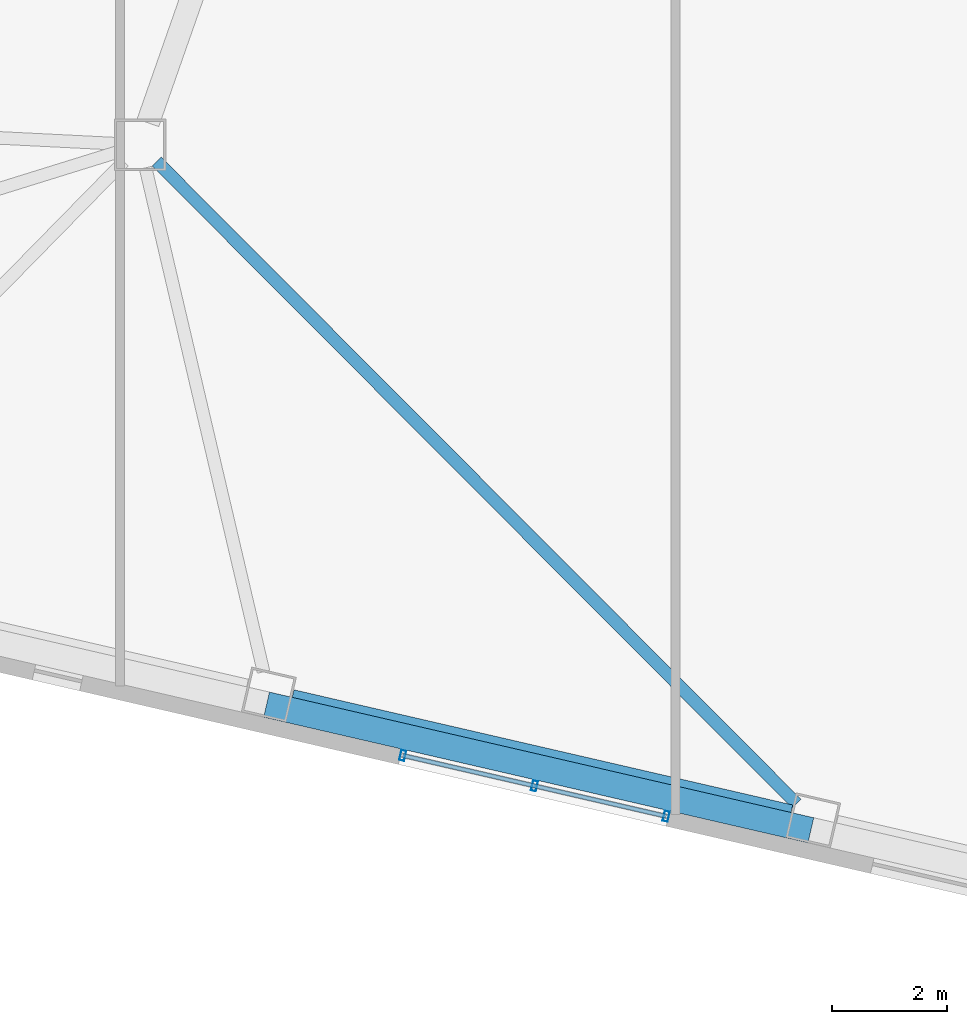
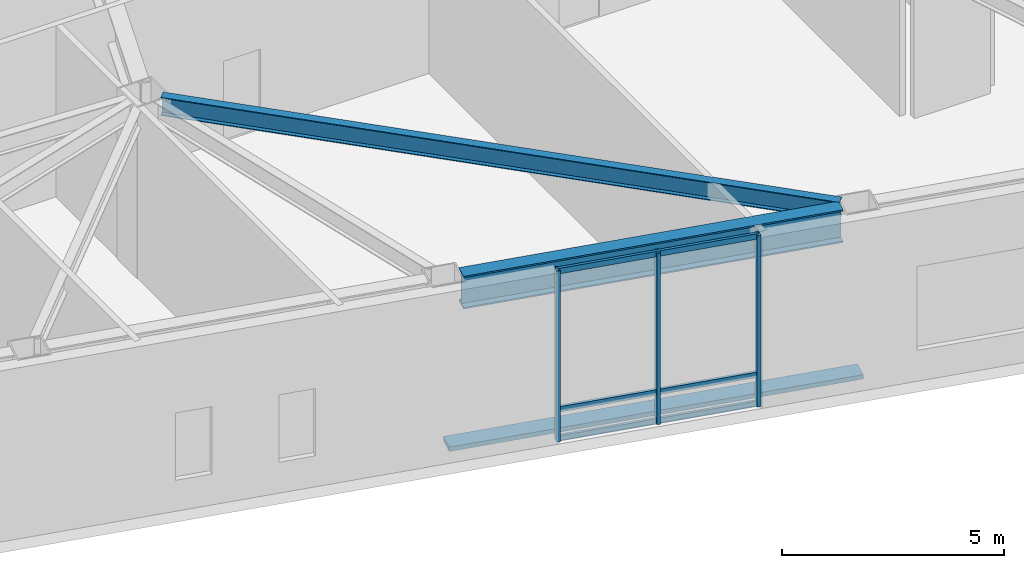
# One storey, part 2 of 21: 7 members, 2 beams, 1 element without a shape of its own.
"""IFC4 building model written with IfcOpenShell, lengths in metres."""

from ifc_helpers import new_model, si_unit, direction, frame, origin, origin_2d, place, context, subcontext, project, spatial, rectangle, hollow_rectangle, i_section, extrude, material, layer, layer_set, material_profile, profile_set, type_object, element, aggregate, save


model = new_model("IFC4")

# Units and contexts
model_context = context("Model", 3, precision=1e-05, world=origin(), true_north=direction((0.0, 1.0)))
body_context = subcontext(model_context, "Body", "Model", "MODEL_VIEW")
ifc_project = project(units=[si_unit("LENGTHUNIT", "METRE"), si_unit("AREAUNIT", "SQUARE_METRE"), si_unit("VOLUMEUNIT", "CUBIC_METRE"), si_unit("PLANEANGLEUNIT", "RADIAN"), si_unit("MASSUNIT", "GRAM", prefix="KILO")], contexts=[model_context])

# Site, building, storey
site_placement = place(None, origin())
site = spatial("IfcSite", under=ifc_project, at=site_placement, CompositionType="ELEMENT")
building_placement = place(site_placement, origin())
building = spatial("IfcBuilding", under=site, at=building_placement, Name="Tavrogorsk Clinical Tower", CompositionType="ELEMENT")
storey_placement = place(building_placement, frame((0.0, 0.0, 8.39990234375)))
storey = spatial("IfcBuildingStorey", under=building, at=storey_placement, Name="L01", CompositionType="ELEMENT", Elevation=8.39990234375)

# Member
ifc_material_1 = material(Name="Anodised aluminium alloy AW-6063", Category="aluminium")
ifc_material_profile_1 = material_profile(ifc_material_1, rectangle(XDim=0.449951171875, YDim=0.1201171875, at=origin_2d()), Name="ALU-SUNSHADE-450x120")
ifc_profile_set_1 = profile_set([ifc_material_profile_1], Name="Anodised aluminium alloy AW-6063")
member_type_1 = type_object("IfcMemberType", Name="ChicagoSunshade_450x120", PredefinedType="USERDEFINED", material=ifc_profile_set_1)
member_1_placement = place(storey_placement, frame((-22.29443359375, -22.96728515625, 0.18017578125), z_axis=(0.97437219846, -0.224941812182, 0.0), x_axis=(0.224941812182, 0.97437219846, 0.0)))
element("IfcMember", 1, at=member_1_placement, inside=storey, type_object=member_type_1, Name="L01 South Aluminium Sunshade S3", ObjectType="SUNSHADE", PredefinedType="USERDEFINED", context=body_context, shape_type="SweptSolid", body=[
    extrude(rectangle(XDim=0.449951171875, YDim=0.1201171875, at=origin_2d()), origin(), (0.0, 0.0, 1.0), 9.74853515625),
])

# Curtain wall, members
ifc_material_2 = material(Name="Anodised aluminium and triple IGU glazing", Category="aluminium")
ifc_layer = layer(ifc_material_2, 0.179931640625)
ifc_layer_set = layer_set([ifc_layer], Name="Anodised aluminium and triple IGU glazing")
curtain_wall_type = type_object("IfcCurtainWallType", Name="CW3_SouthSlot", PredefinedType="NOTDEFINED", material=ifc_layer_set)
curtain_wall_placement = place(storey_placement, origin())
curtain_wall = element("IfcCurtainWall", 2, at=curtain_wall_placement, inside=storey, type_object=curtain_wall_type, Name="L01 Curtain Wall CW-L01-S-SLOT-1", PredefinedType="NOTDEFINED")
ifc_material_3 = material(Name="Anodised aluminium alloy AW-6060", Category="aluminium")
ifc_material_profile_2 = material_profile(ifc_material_3, hollow_rectangle(XDim=0.090087890625, YDim=0.179931640625, WallThickness=0.00634765625, at=origin_2d()), Name="RHS-180x90x6.3")
ifc_profile_set_2 = profile_set([ifc_material_profile_2], Name="Anodised aluminium alloy AW-6060")
member_type_2 = type_object("IfcMemberType", Name="CwMullion_180x90", PredefinedType="MULLION", material=ifc_profile_set_2)
member_2_placement = place(storey_placement, frame((-19.917724609375, -23.8544921875, 0.0), z_axis=(0.0, 0.0, 1.0), x_axis=(0.974370046851, -0.224951132027, 0.0)))
member_2 = element("IfcMember", 3, at=member_2_placement, type_object=member_type_2, Name="CW-L01-S-SLOT-1 Mullion 1", PredefinedType="MULLION", context=body_context, shape_type="SweptSolid", body=[
    extrude(hollow_rectangle(XDim=0.090087890625, YDim=0.179931640625, WallThickness=0.00634765625, at=origin_2d()), origin(), (0.0, 0.0, 1.0), 4.7001953125),
])
member_3_placement = place(storey_placement, frame((-17.619384765625, -24.38525390625, 0.0), z_axis=(0.0, 0.0, 1.0), x_axis=(0.974370046851, -0.224951132027, 0.0)))
member_3 = element("IfcMember", 4, at=member_3_placement, type_object=member_type_2, Name="CW-L01-S-SLOT-1 Mullion 2", PredefinedType="MULLION", context=body_context, shape_type="SweptSolid", body=[
    extrude(hollow_rectangle(XDim=0.090087890625, YDim=0.179931640625, WallThickness=0.00634765625, at=origin_2d()), origin(), (0.0, 0.0, 1.0), 4.7001953125),
])
member_4_placement = place(storey_placement, frame((-15.32080078125, -24.916015625, 0.0), z_axis=(0.0, 0.0, 1.0), x_axis=(0.974370046851, -0.224951132027, 0.0)))
member_4 = element("IfcMember", 5, at=member_4_placement, type_object=member_type_2, Name="CW-L01-S-SLOT-1 Mullion 3", PredefinedType="MULLION", context=body_context, shape_type="SweptSolid", body=[
    extrude(hollow_rectangle(XDim=0.090087890625, YDim=0.179931640625, WallThickness=0.00634765625, at=origin_2d()), origin(), (0.0, 0.0, 1.0), 4.7001953125),
])
ifc_material_4 = material(Name="Anodised aluminium alloy AW-6060", Category="aluminium")
ifc_material_profile_3 = material_profile(ifc_material_4, hollow_rectangle(XDim=0.074951171875, YDim=0.14990234375, WallThickness=0.0048828125, at=origin_2d()), Name="RHS-150x75x5")
ifc_profile_set_3 = profile_set([ifc_material_profile_3], Name="Anodised aluminium alloy AW-6060")
member_type_3 = type_object("IfcMemberType", Name="CwTransom_150x75", PredefinedType="USERDEFINED", material=ifc_profile_set_3)
member_5_placement = place(storey_placement, frame((-19.917724609375, -23.8544921875, 0.050048828125), z_axis=(0.974358915979, -0.224999339672, 0.0), x_axis=(0.224999339672, 0.974358915979, 0.0)))
member_5 = element("IfcMember", 6, at=member_5_placement, type_object=member_type_3, Name="CW-L01-S-SLOT-1 Transom 1", ObjectType="TRANSOM", PredefinedType="USERDEFINED", context=body_context, shape_type="SweptSolid", body=[
    extrude(hollow_rectangle(XDim=0.074951171875, YDim=0.14990234375, WallThickness=0.0048828125, at=origin_2d()), origin(), (0.0, 0.0, 1.0), 4.718017578125),
])
member_6_placement = place(storey_placement, frame((-19.917724609375, -23.8544921875, 0.85009765625), z_axis=(0.974358915979, -0.224999339672, 0.0), x_axis=(0.224999339672, 0.974358915979, 0.0)))
member_6 = element("IfcMember", 7, at=member_6_placement, type_object=member_type_3, Name="CW-L01-S-SLOT-1 Transom 2", ObjectType="TRANSOM", PredefinedType="USERDEFINED", context=body_context, shape_type="SweptSolid", body=[
    extrude(hollow_rectangle(XDim=0.074951171875, YDim=0.14990234375, WallThickness=0.0048828125, at=origin_2d()), origin(), (0.0, 0.0, 1.0), 4.718017578125),
])
member_7_placement = place(storey_placement, frame((-19.917724609375, -23.8544921875, 4.650146484375), z_axis=(0.974358915979, -0.224999339672, 0.0), x_axis=(0.224999339672, 0.974358915979, 0.0)))
member_7 = element("IfcMember", 8, at=member_7_placement, type_object=member_type_3, Name="CW-L01-S-SLOT-1 Transom 3", ObjectType="TRANSOM", PredefinedType="USERDEFINED", context=body_context, shape_type="SweptSolid", body=[
    extrude(hollow_rectangle(XDim=0.074951171875, YDim=0.14990234375, WallThickness=0.0048828125, at=origin_2d()), origin(), (0.0, 0.0, 1.0), 4.718017578125),
])
aggregate(curtain_wall, [member_2, member_3, member_4, member_5, member_6, member_7])

# Beams
ifc_material_5 = material(Name="Structural steel S355", Category="steel")
ifc_material_profile_4 = material_profile(ifc_material_5, i_section(OverallWidth=0.219970703125, OverallDepth=0.5, WebThickness=0.012939453125, FlangeThickness=0.02001953125, at=origin_2d()), Name="B-500x220x13x20")
ifc_profile_set_4 = profile_set([ifc_material_profile_4], Name="Structural steel S355")
beam_type_1 = type_object("IfcBeamType", Name="FloorBeam_B500", PredefinedType="BEAM", material=ifc_profile_set_4)
beam_1_placement = place(storey_placement, frame((-24.210693359375, -13.490478515625, 4.4501953125), z_axis=(0.705909757155, -0.70830178226, 0.0), x_axis=(0.70830178226, 0.705909757155, 0.0)))
element("IfcBeam", 9, at=beam_1_placement, inside=storey, type_object=beam_type_1, Name="L01 Radial Floor Beam S4", PredefinedType="BEAM", context=body_context, shape_type="SweptSolid", body=[
    extrude(i_section(OverallWidth=0.219970703125, OverallDepth=0.5, WebThickness=0.012939453125, FlangeThickness=0.02001953125, at=origin_2d()), origin(), (0.0, 0.0, 1.0), 15.820068359375),
])
ifc_material_6 = material(Name="Structural steel S440", Category="steel")
ifc_material_profile_5 = material_profile(ifc_material_6, i_section(OverallWidth=0.360107421875, OverallDepth=0.89990234375, WebThickness=0.02392578125, FlangeThickness=0.0400390625, at=origin_2d()), Name="DK-900x360x24x40")
ifc_profile_set_5 = profile_set([ifc_material_profile_5], Name="Structural steel S440")
beam_type_2 = type_object("IfcBeamType", Name="TransferGirder_DK900", PredefinedType="USERDEFINED", material=ifc_profile_set_5)
beam_2_placement = place(storey_placement, frame((-21.8564453125, -22.8837890625, 4.25), z_axis=(0.974372766602, -0.224939351168, 0.0), x_axis=(0.224939351168, 0.974372766602, 0.0)))
element("IfcBeam", 10, at=beam_2_placement, inside=storey, type_object=beam_type_2, Name="L01 Perimeter Spandrel S3-S4", ObjectType="GIRDER", PredefinedType="USERDEFINED", context=body_context, shape_type="SweptSolid", body=[
    extrude(i_section(OverallWidth=0.360107421875, OverallDepth=0.89990234375, WebThickness=0.02392578125, FlangeThickness=0.0400390625, at=origin_2d()), origin(), (0.0, 0.0, 1.0), 8.9326171875),
])

save(model, "model.ifc")
